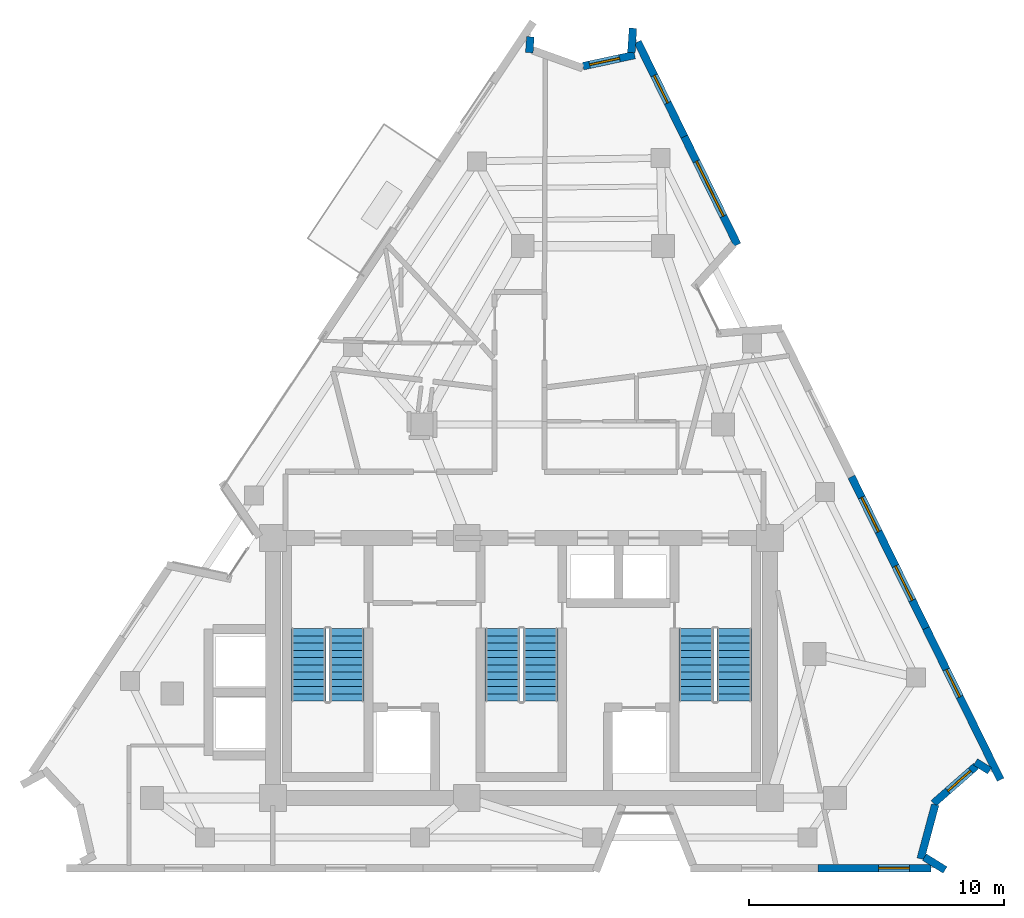
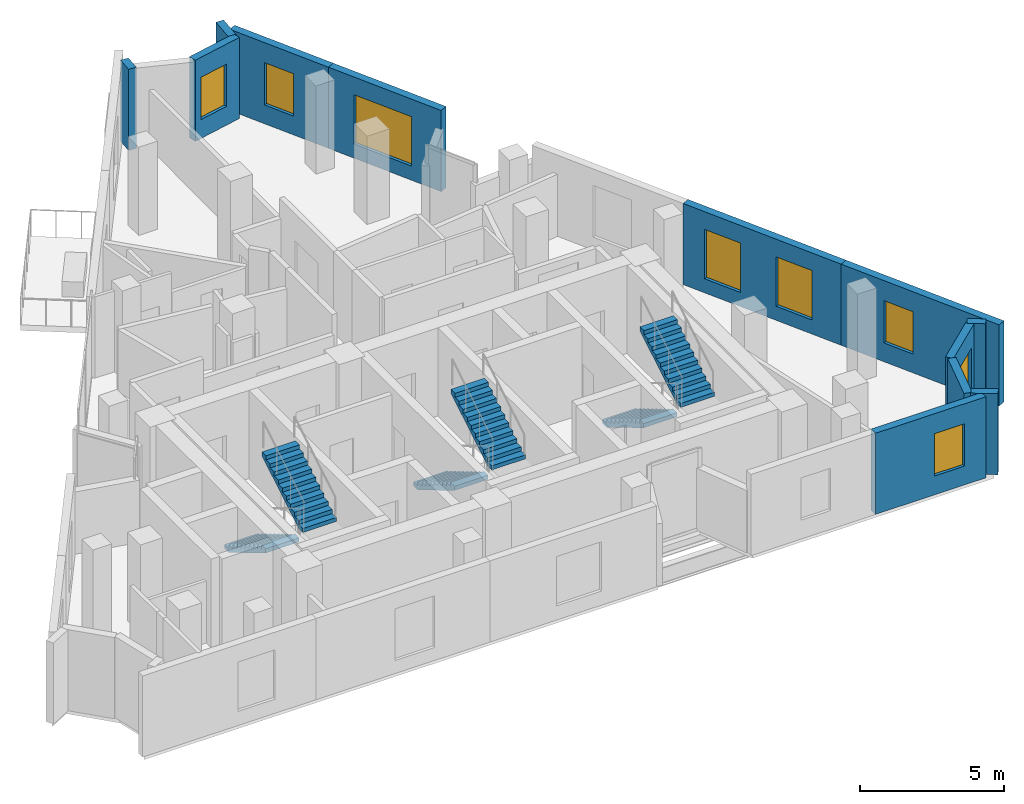
# One storey, part 7 of 8: 12 walls, 8 windows, 6 stair flights, 8 openings, 3 elements without a shape of their own.
"""IFC4 building model written with IfcOpenShell, lengths in metres."""

from ifc_helpers import new_model, si_unit, direction, frame, frame_2d, origin, place, context, subcontext, project, spatial, polyline, rectangle, outline, extrude, material, layer, layer_set, type_object, element, fill, aggregate, save


model = new_model("IFC4")

# Units and contexts
model_context = context("Model", 3, precision=1e-05, world=origin(), true_north=direction((0.0, 1.0)))
body_context = subcontext(model_context, "Body", "Model", "MODEL_VIEW")
ifc_project = project(units=[si_unit("LENGTHUNIT", "METRE"), si_unit("AREAUNIT", "SQUARE_METRE"), si_unit("VOLUMEUNIT", "CUBIC_METRE"), si_unit("PLANEANGLEUNIT", "RADIAN"), si_unit("MASSUNIT", "GRAM", prefix="KILO")], contexts=[model_context])

# Site, building, storey
site_placement = place(None, origin())
site = spatial("IfcSite", under=ifc_project, at=site_placement, CompositionType="ELEMENT")
building_placement = place(site_placement, origin())
building = spatial("IfcBuilding", under=site, at=building_placement, Name="Almagre Mirador Tower", CompositionType="ELEMENT")
storey_placement = place(building_placement, frame((0.0, 0.0, 285.75)))
storey = spatial("IfcBuildingStorey", under=building, at=storey_placement, Name="L74", CompositionType="ELEMENT", Elevation=285.75)

# Wall
ifc_material_1 = material(Name="Precast concrete C50/60", Category="concrete")
ifc_layer = layer(ifc_material_1, 0.300048828125)
ifc_layer_set = layer_set([ifc_layer], Name="Precast concrete C50/60")
wall_type = type_object("IfcWallType", Name="WAL-EXT-300", PredefinedType="SOLIDWALL", material=ifc_layer_set)
wall_1_placement = place(storey_placement, frame((37.648681640625, 34.4140625, 0.0), z_axis=(0.0, 0.0, 1.0), x_axis=(-0.065222861299, -0.99787072227, 0.0)))
element("IfcWall", 1, at=wall_1_placement, inside=storey, type_object=wall_type, Name="L74 expressed almagre precast frame wall 05", PredefinedType="SOLIDWALL", context=body_context, shape_type="SweptSolid", body=[
    extrude(rectangle(XDim=0.625, YDim=0.300048828125, at=frame_2d((0.3125, 0.0))), origin(), (0.0, 0.0, 1.0), 3.449951171875),
])

# Wall, opening, window
wall_2_placement = place(storey_placement, frame((39.714599609375, 33.261474609375, 0.0), z_axis=(0.0, 0.0, 1.0), x_axis=(0.977601927603, 0.210462517201, 0.0)))
wall_2 = element("IfcWall", 2, at=wall_2_placement, inside=storey, type_object=wall_type, Name="L74 expressed almagre precast frame wall 07", PredefinedType="SOLIDWALL", context=body_context, shape_type="SweptSolid", body=[
    extrude(rectangle(XDim=2.07177734375, YDim=0.300048828125, at=frame_2d((1.035888671875, 0.0))), origin(), (0.0, 0.0, 1.0), 3.449951171875),
])
opening_1_placement = place(wall_2_placement, frame((0.264892578125, 0.0, 0.800048828125)))
opening_1 = element("IfcOpeningElement", 3, at=opening_1_placement, cuts=wall_2, Name="Opening WN-04", PredefinedType="OPENING", context=body_context, shape_type="SweptSolid", body=[
    extrude(rectangle(XDim=1.199951171875, YDim=1.800048828125, at=frame_2d((0.60009765625, 0.89990234375))), frame((0.0, 0.159902, 0.0), z_axis=(0.0, -1.0, 0.0), x_axis=(1.0, 0.0, 0.0)), (0.0, 0.0, 1.0), 0.320049),
])
ifc_material_2 = material(Name="Dark solar-control laminated hurricane glass", Category="glass")
window_type_1 = type_object("IfcWindowType", Name="WIN-1200X1800", PartitioningType="SINGLE_PANEL", PredefinedType="WINDOW", material=ifc_material_2)
window_1_placement = place(opening_1_placement, origin())
window_1 = element("IfcWindow", 4, at=window_1_placement, inside=storey, type_object=window_type_1, Name="L74 recessed hurricane window L74-RST-J", OverallHeight=1.800048828125, OverallWidth=1.199951171875, PartitioningType="SINGLE_PANEL", PredefinedType="WINDOW", context=body_context, shape_type="SweptSolid", body=[
    extrude(rectangle(XDim=1.199951171875, YDim=1.800048828125, at=frame_2d((0.60009765625, 0.89990234375))), frame((0.0, 0.030029296875, 0.0), z_axis=(0.0, -1.0, 0.0), x_axis=(1.0, 0.0, 0.0)), (0.0, 0.0, 1.0), 0.06005859375),
])
fill(opening_1, window_1)

# Wall
wall_3_placement = place(storey_placement, frame((41.611083984375, 33.792724609375, 0.0), z_axis=(0.0, 0.0, 1.0), x_axis=(0.065860770899, 0.997828822422, 0.0)))
element("IfcWall", 5, at=wall_3_placement, inside=storey, type_object=wall_type, Name="L74 expressed almagre precast frame wall 08", PredefinedType="SOLIDWALL", context=body_context, shape_type="SweptSolid", body=[
    extrude(rectangle(XDim=0.960205078125, YDim=0.300048828125, at=frame_2d((0.47998046875, 0.0))), origin(), (0.0, 0.0, 1.0), 3.449951171875),
])

# Wall, opening, window
wall_4_placement = place(storey_placement, frame((41.861328125, 34.211669921875, 0.0), z_axis=(0.0, 0.0, 1.0), x_axis=(0.441237156628, -0.897390534612, 0.0)))
wall_4 = element("IfcWall", 6, at=wall_4_placement, inside=storey, type_object=wall_type, Name="L74 expressed almagre precast frame wall 09", PredefinedType="SOLIDWALL", context=body_context, shape_type="SweptSolid", body=[
    extrude(rectangle(XDim=4.140869140625, YDim=0.300048828125, at=frame_2d((2.0703125, 0.0))), origin(), (0.0, 0.0, 1.0), 3.449951171875),
])
opening_2_placement = place(wall_4_placement, frame((1.465087890625, 0.0, 0.800048828125)))
opening_2 = element("IfcOpeningElement", 7, at=opening_2_placement, cuts=wall_4, Name="Opening WN-04", PredefinedType="OPENING", context=body_context, shape_type="SweptSolid", body=[
    extrude(rectangle(XDim=1.199951171875, YDim=1.800048828125, at=frame_2d((0.60009765625, 0.89990234375))), frame((0.0, 0.159902, 0.0), z_axis=(0.0, -1.0, 0.0), x_axis=(1.0, 0.0, 0.0)), (0.0, 0.0, 1.0), 0.320049),
])
window_2_placement = place(opening_2_placement, origin())
window_2 = element("IfcWindow", 8, at=window_2_placement, inside=storey, type_object=window_type_1, Name="L74 recessed hurricane window L74-RST-J", OverallHeight=1.800048828125, OverallWidth=1.199951171875, PartitioningType="SINGLE_PANEL", PredefinedType="WINDOW", context=body_context, shape_type="SweptSolid", body=[
    extrude(rectangle(XDim=1.199951171875, YDim=1.800048828125, at=frame_2d((0.60009765625, 0.89990234375))), frame((0.0, 0.030029296875, 0.0), z_axis=(0.0, -1.0, 0.0), x_axis=(1.0, 0.0, 0.0)), (0.0, 0.0, 1.0), 0.06005859375),
])
fill(opening_2, window_2)

wall_5_placement = place(storey_placement, frame((43.6884765625, 30.49560546875, 0.0), z_axis=(0.0, 0.0, 1.0), x_axis=(0.441211227399, -0.897403283266, 0.0)))
wall_5 = element("IfcWall", 9, at=wall_5_placement, inside=storey, type_object=wall_type, Name="L74 expressed almagre precast frame wall 10", PredefinedType="SOLIDWALL", context=body_context, shape_type="SweptSolid", body=[
    extrude(rectangle(XDim=4.72607421875, YDim=0.300048828125, at=frame_2d((2.363037109375, 0.0))), origin(), (0.0, 0.0, 1.0), 3.449951171875),
])
opening_3_placement = place(wall_5_placement, frame((1.074951171875, 0.0, 0.60009765625)))
opening_3 = element("IfcOpeningElement", 10, at=opening_3_placement, cuts=wall_5, Name="Opening WN-02", PredefinedType="OPENING", context=body_context, shape_type="SweptSolid", body=[
    extrude(rectangle(XDim=2.39990234375, YDim=2.10009765625, at=frame_2d((1.199951171875, 1.050048828125))), frame((0.0, 0.159902, 0.0), z_axis=(0.0, -1.0, 0.0), x_axis=(1.0, 0.0, 0.0)), (0.0, 0.0, 1.0), 0.320049),
])
ifc_material_3 = material(Name="Dark solar-control laminated hurricane glass", Category="glass")
window_type_2 = type_object("IfcWindowType", Name="WIN-2400X2100", PartitioningType="TRIPLE_PANEL_VERTICAL", PredefinedType="WINDOW", material=ifc_material_3)
window_3_placement = place(opening_3_placement, origin())
window_3 = element("IfcWindow", 11, at=window_3_placement, inside=storey, type_object=window_type_2, Name="L74 recessed hurricane window L74-RST-J", OverallHeight=2.10009765625, OverallWidth=2.39990234375, PartitioningType="SINGLE_PANEL", PredefinedType="WINDOW", context=body_context, shape_type="SweptSolid", body=[
    extrude(rectangle(XDim=2.39990234375, YDim=2.10009765625, at=frame_2d((1.199951171875, 1.050048828125))), frame((0.0, 0.030029296875, 0.0), z_axis=(0.0, -1.0, 0.0), x_axis=(1.0, 0.0, 0.0)), (0.0, 0.0, 1.0), 0.06005859375),
])
fill(opening_3, window_3)

# Wall, openings, windows
wall_6_placement = place(storey_placement, frame((50.25048828125, 17.151611328125, 0.0), z_axis=(0.0, 0.0, 1.0), x_axis=(0.441291922586, -0.897363604711, 0.0)))
wall_6 = element("IfcWall", 12, at=wall_6_placement, inside=storey, type_object=wall_type, Name="L74 expressed almagre precast frame wall 14", PredefinedType="SOLIDWALL", context=body_context, shape_type="SweptSolid", body=[
    extrude(rectangle(XDim=6.6240234375, YDim=0.300048828125, at=frame_2d((3.31201171875, 0.0))), origin(), (0.0, 0.0, 1.0), 3.449951171875),
])
opening_4_placement = place(wall_6_placement, frame((3.89990234375, 0.0, 0.60009765625)))
opening_4 = element("IfcOpeningElement", 13, at=opening_4_placement, cuts=wall_6, Name="Opening WN-03", PredefinedType="OPENING", context=body_context, shape_type="SweptSolid", body=[
    extrude(rectangle(XDim=1.5, YDim=2.10009765625, at=frame_2d((0.75, 1.050048828125))), frame((0.0, 0.159902, 0.0), z_axis=(0.0, -1.0, 0.0), x_axis=(1.0, 0.0, 0.0)), (0.0, 0.0, 1.0), 0.320049),
])
opening_5_placement = place(wall_6_placement, frame((0.89990234375, 0.0, 0.60009765625)))
opening_5 = element("IfcOpeningElement", 14, at=opening_5_placement, cuts=wall_6, Name="Opening WN-03", PredefinedType="OPENING", context=body_context, shape_type="SweptSolid", body=[
    extrude(rectangle(XDim=1.5, YDim=2.10009765625, at=frame_2d((0.75, 1.050048828125))), frame((0.0, 0.159902, 0.0), z_axis=(0.0, -1.0, 0.0), x_axis=(1.0, 0.0, 0.0)), (0.0, 0.0, 1.0), 0.320049),
])
ifc_material_4 = material(Name="Dark solar-control laminated hurricane glass", Category="glass")
window_type_3 = type_object("IfcWindowType", Name="WIN-1500X2100", PartitioningType="DOUBLE_PANEL_VERTICAL", PredefinedType="WINDOW", material=ifc_material_4)
window_4_placement = place(opening_4_placement, origin())
window_4 = element("IfcWindow", 15, at=window_4_placement, inside=storey, type_object=window_type_3, Name="L74 recessed hurricane window L74-UC-ST", OverallHeight=2.10009765625, OverallWidth=1.5, PartitioningType="SINGLE_PANEL", PredefinedType="WINDOW", context=body_context, shape_type="SweptSolid", body=[
    extrude(rectangle(XDim=1.5, YDim=2.10009765625, at=frame_2d((0.75, 1.050048828125))), frame((0.0, 0.030029296875, 0.0), z_axis=(0.0, -1.0, 0.0), x_axis=(1.0, 0.0, 0.0)), (0.0, 0.0, 1.0), 0.06005859375),
])
fill(opening_4, window_4)
window_5_placement = place(opening_5_placement, origin())
window_5 = element("IfcWindow", 16, at=window_5_placement, inside=storey, type_object=window_type_3, Name="L74 recessed hurricane window L74-RST-E", OverallHeight=2.10009765625, OverallWidth=1.5, PartitioningType="SINGLE_PANEL", PredefinedType="WINDOW", context=body_context, shape_type="SweptSolid", body=[
    extrude(rectangle(XDim=1.5, YDim=2.10009765625, at=frame_2d((0.75, 1.050048828125))), frame((0.0, 0.030029296875, 0.0), z_axis=(0.0, -1.0, 0.0), x_axis=(1.0, 0.0, 0.0)), (0.0, 0.0, 1.0), 0.06005859375),
])
fill(opening_5, window_5)

# Wall, opening, window
wall_7_placement = place(storey_placement, frame((53.173583984375, 11.20751953125, 0.0), z_axis=(0.0, 0.0, 1.0), x_axis=(0.441291922586, -0.897363604711, 0.0)))
wall_7 = element("IfcWall", 17, at=wall_7_placement, inside=storey, type_object=wall_type, Name="L74 expressed almagre precast frame wall 15", PredefinedType="SOLIDWALL", context=body_context, shape_type="SweptSolid", body=[
    extrude(rectangle(XDim=6.6240234375, YDim=0.300048828125, at=frame_2d((3.31201171875, 0.0))), origin(), (0.0, 0.0, 1.0), 3.449951171875),
])
opening_6_placement = place(wall_7_placement, frame((1.800048828125, 0.0, 0.800048828125)))
opening_6 = element("IfcOpeningElement", 18, at=opening_6_placement, cuts=wall_7, Name="Opening WN-04", PredefinedType="OPENING", context=body_context, shape_type="SweptSolid", body=[
    extrude(rectangle(XDim=1.199951171875, YDim=1.800048828125, at=frame_2d((0.60009765625, 0.89990234375))), frame((0.0, 0.159902, 0.0), z_axis=(0.0, -1.0, 0.0), x_axis=(1.0, 0.0, 0.0)), (0.0, 0.0, 1.0), 0.320049),
])
window_6_placement = place(opening_6_placement, origin())
window_6 = element("IfcWindow", 19, at=window_6_placement, inside=storey, type_object=window_type_1, Name="L74 recessed hurricane window L74-UC-ST", OverallHeight=1.800048828125, OverallWidth=1.199951171875, PartitioningType="SINGLE_PANEL", PredefinedType="WINDOW", context=body_context, shape_type="SweptSolid", body=[
    extrude(rectangle(XDim=1.199951171875, YDim=1.800048828125, at=frame_2d((0.60009765625, 0.89990234375))), frame((0.0, 0.030029296875, 0.0), z_axis=(0.0, -1.0, 0.0), x_axis=(1.0, 0.0, 0.0)), (0.0, 0.0, 1.0), 0.06005859375),
])
fill(opening_6, window_6)

# Wall
wall_8_placement = place(storey_placement, frame((55.666015625, 5.619140625, 0.0), z_axis=(0.0, 0.0, 1.0), x_axis=(-0.848588422638, 0.529053578539, 0.0)))
element("IfcWall", 20, at=wall_8_placement, inside=storey, type_object=wall_type, Name="L74 expressed almagre precast frame wall 16", PredefinedType="SOLIDWALL", context=body_context, shape_type="SweptSolid", body=[
    extrude(rectangle(XDim=0.650146484375, YDim=0.300048828125, at=frame_2d((0.3251953125, 0.0))), origin(), (0.0, 0.0, 1.0), 3.449951171875),
])

# Wall, opening, window
wall_9_placement = place(storey_placement, frame((55.13525390625, 5.80322265625, 0.0), z_axis=(0.0, 0.0, 1.0), x_axis=(-0.751744762281, -0.659454177622, 0.0)))
wall_9 = element("IfcWall", 21, at=wall_9_placement, inside=storey, type_object=wall_type, Name="L74 expressed almagre precast frame wall 17", PredefinedType="SOLIDWALL", context=body_context, shape_type="SweptSolid", body=[
    extrude(rectangle(XDim=2.219482421875, YDim=0.300048828125, at=frame_2d((1.10986328125, 0.0))), origin(), (0.0, 0.0, 1.0), 3.449951171875),
])
opening_7_placement = place(wall_9_placement, frame((0.280029296875, 0.0, 0.800048828125)))
opening_7 = element("IfcOpeningElement", 22, at=opening_7_placement, cuts=wall_9, Name="Opening WN-04", PredefinedType="OPENING", context=body_context, shape_type="SweptSolid", body=[
    extrude(rectangle(XDim=1.199951171875, YDim=1.800048828125, at=frame_2d((0.60009765625, 0.89990234375))), frame((0.0, 0.159902, 0.0), z_axis=(0.0, -1.0, 0.0), x_axis=(1.0, 0.0, 0.0)), (0.0, 0.0, 1.0), 0.320049),
])
window_7_placement = place(opening_7_placement, origin())
window_7 = element("IfcWindow", 23, at=window_7_placement, inside=storey, type_object=window_type_1, Name="L74 recessed hurricane window L74-UC-KT", OverallHeight=1.800048828125, OverallWidth=1.199951171875, PartitioningType="SINGLE_PANEL", PredefinedType="WINDOW", context=body_context, shape_type="SweptSolid", body=[
    extrude(rectangle(XDim=1.199951171875, YDim=1.800048828125, at=frame_2d((0.60009765625, 0.89990234375))), frame((0.0, 0.030029296875, 0.0), z_axis=(0.0, -1.0, 0.0), x_axis=(1.0, 0.0, 0.0)), (0.0, 0.0, 1.0), 0.06005859375),
])
fill(opening_7, window_7)

# Walls
wall_10_placement = place(storey_placement, frame((53.532958984375, 4.287109375, 0.0), z_axis=(0.0, 0.0, 1.0), x_axis=(-0.259818176463, -0.965657555855, 0.0)))
element("IfcWall", 24, at=wall_10_placement, inside=storey, type_object=wall_type, Name="L74 expressed almagre precast frame wall 18", PredefinedType="SOLIDWALL", context=body_context, shape_type="SweptSolid", body=[
    extrude(rectangle(XDim=2.19873046875, YDim=0.300048828125, at=frame_2d((1.099365234375, 0.0))), origin(), (0.0, 0.0, 1.0), 3.449951171875),
])
wall_11_placement = place(storey_placement, frame((53.1083984375, 2.23046875, 0.0), z_axis=(0.0, 0.0, 1.0), x_axis=(0.849031111495, -0.528342854322, 0.0)))
element("IfcWall", 25, at=wall_11_placement, inside=storey, type_object=wall_type, Name="L74 expressed almagre precast frame wall 19", PredefinedType="SOLIDWALL", context=body_context, shape_type="SweptSolid", body=[
    extrude(rectangle(XDim=0.95458984375, YDim=0.300048828125, at=frame_2d((0.477294921875, 0.0))), origin(), (0.0, 0.0, 1.0), 3.449951171875),
])

# Wall, opening, window
wall_12_placement = place(storey_placement, frame((53.375, 1.800048828125, 0.0), z_axis=(0.0, 0.0, 1.0), x_axis=(-1.0, 0.0, 0.0)))
wall_12 = element("IfcWall", 26, at=wall_12_placement, inside=storey, type_object=wall_type, Name="L74 expressed almagre precast frame wall 20", PredefinedType="SOLIDWALL", context=body_context, shape_type="SweptSolid", body=[
    extrude(rectangle(XDim=4.43896484375, YDim=0.300048828125, at=frame_2d((2.219482421875, 0.0))), origin(), (0.0, 0.0, 1.0), 3.449951171875),
])
opening_8_placement = place(wall_12_placement, frame((0.860107421875, 0.0, 0.800048828125)))
opening_8 = element("IfcOpeningElement", 27, at=opening_8_placement, cuts=wall_12, Name="Opening WN-04", PredefinedType="OPENING", context=body_context, shape_type="SweptSolid", body=[
    extrude(rectangle(XDim=1.199951171875, YDim=1.800048828125, at=frame_2d((0.60009765625, 0.89990234375))), frame((0.0, 0.159902, 0.0), z_axis=(0.0, -1.0, 0.0), x_axis=(1.0, 0.0, 0.0)), (0.0, 0.0, 1.0), 0.320049),
])
window_8_placement = place(opening_8_placement, origin())
window_8 = element("IfcWindow", 28, at=window_8_placement, inside=storey, type_object=window_type_1, Name="L74 recessed hurricane window L74-UC-BT", OverallHeight=1.800048828125, OverallWidth=1.199951171875, PartitioningType="SINGLE_PANEL", PredefinedType="WINDOW", context=body_context, shape_type="SweptSolid", body=[
    extrude(rectangle(XDim=1.199951171875, YDim=1.800048828125, at=frame_2d((0.60009765625, 0.89990234375))), frame((0.0, 0.030029296875, 0.0), z_axis=(0.0, -1.0, 0.0), x_axis=(1.0, 0.0, 0.0)), (0.0, 0.0, 1.0), 0.06005859375),
])
fill(opening_8, window_8)

# Stair, stair flights
ifc_material_5 = material(Name="Concrete C45/55", Category="concrete")
stair_type = type_object("IfcStairType", Name="STR-DL-3750", PredefinedType="HALF_TURN_STAIR", material=ifc_material_5)
stair_1_placement = place(storey_placement, origin())
stair_1 = element("IfcStair", 29, at=stair_1_placement, inside=storey, type_object=stair_type, Name="L74 Protected exit stair ST-1", PredefinedType="HALF_TURN_STAIR")
ifc_material_6 = material(Name="Concrete C45/55", Category="concrete")
stair_flight_type = type_object("IfcStairFlightType", Name="FLT-DL-3750", PredefinedType="STRAIGHT", material=ifc_material_6)
stair_flight_1_placement = place(storey_placement, frame((28.949951171875, 11.199951171875, 0.0), z_axis=(0.0, 0.0, 1.0), x_axis=(0.0, -1.0, 0.0)))
stair_flight_1 = element("IfcStairFlight", 30, at=stair_flight_1_placement, type_object=stair_flight_type, Name="ST-1 flight 1", NumberOfRisers=11, NumberOfTreads=10, PredefinedType="STRAIGHT", RiserHeight=0.170454545, TreadLength=0.285, context=body_context, shape_type="SweptSolid", body=[
    extrude(outline(polyline([(0.0, 0.0), (0.0, 0.17041015625), (0.284912109375, 0.17041015625), (0.284912109375, 0.3408203125), (0.570068359375, 0.3408203125), (0.570068359375, 0.511474609375), (0.85498046875, 0.511474609375), (0.85498046875, 0.681884765625), (1.139892578125, 0.681884765625), (1.139892578125, 0.852294921875), (1.425048828125, 0.852294921875), (1.425048828125, 1.022705078125), (1.7099609375, 1.022705078125), (1.7099609375, 1.193115234375), (1.9951171875, 1.193115234375), (1.9951171875, 1.363525390625), (2.280029296875, 1.363525390625), (2.280029296875, 1.5341796875), (2.56494140625, 1.5341796875), (2.56494140625, 1.70458984375), (2.85009765625, 1.70458984375), (2.85009765625, 1.875), (2.85009765625, 1.52978515625), (0.2919921875, 0.0), (0.0, 0.0)])), frame((0.0, 0.675048828125, 0.0), z_axis=(0.0, -1.0, 0.0), x_axis=(1.0, 0.0, 0.0)), (0.0, 0.0, 1.0), 1.35009765625),
])
stair_flight_2_placement = place(storey_placement, frame((30.449951171875, 8.35009765625, 1.875), z_axis=(0.0, 0.0, 1.0), x_axis=(0.0, 1.0, 0.0)))
stair_flight_2 = element("IfcStairFlight", 31, at=stair_flight_2_placement, type_object=stair_flight_type, Name="ST-1 flight 2", NumberOfRisers=11, NumberOfTreads=10, PredefinedType="STRAIGHT", RiserHeight=0.170454545, TreadLength=0.285, context=body_context, shape_type="SweptSolid", body=[
    extrude(outline(polyline([(0.0, 0.0), (0.0, 0.17041015625), (0.284912109375, 0.17041015625), (0.284912109375, 0.3408203125), (0.570068359375, 0.3408203125), (0.570068359375, 0.511474609375), (0.85498046875, 0.511474609375), (0.85498046875, 0.681884765625), (1.139892578125, 0.681884765625), (1.139892578125, 0.852294921875), (1.425048828125, 0.852294921875), (1.425048828125, 1.022705078125), (1.7099609375, 1.022705078125), (1.7099609375, 1.193115234375), (1.9951171875, 1.193115234375), (1.9951171875, 1.363525390625), (2.280029296875, 1.363525390625), (2.280029296875, 1.5341796875), (2.56494140625, 1.5341796875), (2.56494140625, 1.70458984375), (2.85009765625, 1.70458984375), (2.85009765625, 1.875), (2.85009765625, 1.52978515625), (0.2919921875, 0.0), (0.0, 0.0)])), frame((0.0, 0.675048828125, 0.0), z_axis=(0.0, -1.0, 0.0), x_axis=(1.0, 0.0, 0.0)), (0.0, 0.0, 1.0), 1.35009765625),
])
aggregate(stair_1, [stair_flight_1, stair_flight_2])

stair_2_placement = place(storey_placement, origin())
stair_2 = element("IfcStair", 32, at=stair_2_placement, inside=storey, type_object=stair_type, Name="L74 Protected exit stair ST-2", PredefinedType="HALF_TURN_STAIR")
stair_flight_3_placement = place(storey_placement, frame((36.550048828125, 11.199951171875, 0.0), z_axis=(0.0, 0.0, 1.0), x_axis=(0.0, -1.0, 0.0)))
stair_flight_3 = element("IfcStairFlight", 33, at=stair_flight_3_placement, type_object=stair_flight_type, Name="ST-2 flight 1", NumberOfRisers=11, NumberOfTreads=10, PredefinedType="STRAIGHT", RiserHeight=0.170454545, TreadLength=0.285, context=body_context, shape_type="SweptSolid", body=[
    extrude(outline(polyline([(0.0, 0.0), (0.0, 0.17041015625), (0.284912109375, 0.17041015625), (0.284912109375, 0.3408203125), (0.570068359375, 0.3408203125), (0.570068359375, 0.511474609375), (0.85498046875, 0.511474609375), (0.85498046875, 0.681884765625), (1.139892578125, 0.681884765625), (1.139892578125, 0.852294921875), (1.425048828125, 0.852294921875), (1.425048828125, 1.022705078125), (1.7099609375, 1.022705078125), (1.7099609375, 1.193115234375), (1.9951171875, 1.193115234375), (1.9951171875, 1.363525390625), (2.280029296875, 1.363525390625), (2.280029296875, 1.5341796875), (2.56494140625, 1.5341796875), (2.56494140625, 1.70458984375), (2.85009765625, 1.70458984375), (2.85009765625, 1.875), (2.85009765625, 1.52978515625), (0.2919921875, 0.0), (0.0, 0.0)])), frame((0.0, 0.675048828125, 0.0), z_axis=(0.0, -1.0, 0.0), x_axis=(1.0, 0.0, 0.0)), (0.0, 0.0, 1.0), 1.35009765625),
])
stair_flight_4_placement = place(storey_placement, frame((38.050048828125, 8.35009765625, 1.875), z_axis=(0.0, 0.0, 1.0), x_axis=(0.0, 1.0, 0.0)))
stair_flight_4 = element("IfcStairFlight", 34, at=stair_flight_4_placement, type_object=stair_flight_type, Name="ST-2 flight 2", NumberOfRisers=11, NumberOfTreads=10, PredefinedType="STRAIGHT", RiserHeight=0.170454545, TreadLength=0.285, context=body_context, shape_type="SweptSolid", body=[
    extrude(outline(polyline([(0.0, 0.0), (0.0, 0.17041015625), (0.284912109375, 0.17041015625), (0.284912109375, 0.3408203125), (0.570068359375, 0.3408203125), (0.570068359375, 0.511474609375), (0.85498046875, 0.511474609375), (0.85498046875, 0.681884765625), (1.139892578125, 0.681884765625), (1.139892578125, 0.852294921875), (1.425048828125, 0.852294921875), (1.425048828125, 1.022705078125), (1.7099609375, 1.022705078125), (1.7099609375, 1.193115234375), (1.9951171875, 1.193115234375), (1.9951171875, 1.363525390625), (2.280029296875, 1.363525390625), (2.280029296875, 1.5341796875), (2.56494140625, 1.5341796875), (2.56494140625, 1.70458984375), (2.85009765625, 1.70458984375), (2.85009765625, 1.875), (2.85009765625, 1.52978515625), (0.2919921875, 0.0), (0.0, 0.0)])), frame((0.0, 0.675048828125, 0.0), z_axis=(0.0, -1.0, 0.0), x_axis=(1.0, 0.0, 0.0)), (0.0, 0.0, 1.0), 1.35009765625),
])
aggregate(stair_2, [stair_flight_3, stair_flight_4])

stair_3_placement = place(storey_placement, origin())
stair_3 = element("IfcStair", 35, at=stair_3_placement, inside=storey, type_object=stair_type, Name="L74 Protected exit stair ST-3", PredefinedType="HALF_TURN_STAIR")
stair_flight_5_placement = place(storey_placement, frame((44.14990234375, 11.199951171875, 0.0), z_axis=(0.0, 0.0, 1.0), x_axis=(0.0, -1.0, 0.0)))
stair_flight_5 = element("IfcStairFlight", 36, at=stair_flight_5_placement, type_object=stair_flight_type, Name="ST-3 flight 1", NumberOfRisers=11, NumberOfTreads=10, PredefinedType="STRAIGHT", RiserHeight=0.170454545, TreadLength=0.285, context=body_context, shape_type="SweptSolid", body=[
    extrude(outline(polyline([(0.0, 0.0), (0.0, 0.17041015625), (0.284912109375, 0.17041015625), (0.284912109375, 0.3408203125), (0.570068359375, 0.3408203125), (0.570068359375, 0.511474609375), (0.85498046875, 0.511474609375), (0.85498046875, 0.681884765625), (1.139892578125, 0.681884765625), (1.139892578125, 0.852294921875), (1.425048828125, 0.852294921875), (1.425048828125, 1.022705078125), (1.7099609375, 1.022705078125), (1.7099609375, 1.193115234375), (1.9951171875, 1.193115234375), (1.9951171875, 1.363525390625), (2.280029296875, 1.363525390625), (2.280029296875, 1.5341796875), (2.56494140625, 1.5341796875), (2.56494140625, 1.70458984375), (2.85009765625, 1.70458984375), (2.85009765625, 1.875), (2.85009765625, 1.52978515625), (0.2919921875, 0.0), (0.0, 0.0)])), frame((0.0, 0.675048828125, 0.0), z_axis=(0.0, -1.0, 0.0), x_axis=(1.0, 0.0, 0.0)), (0.0, 0.0, 1.0), 1.35009765625),
])
stair_flight_6_placement = place(storey_placement, frame((45.64990234375, 8.35009765625, 1.875), z_axis=(0.0, 0.0, 1.0), x_axis=(0.0, 1.0, 0.0)))
stair_flight_6 = element("IfcStairFlight", 37, at=stair_flight_6_placement, type_object=stair_flight_type, Name="ST-3 flight 2", NumberOfRisers=11, NumberOfTreads=10, PredefinedType="STRAIGHT", RiserHeight=0.170454545, TreadLength=0.285, context=body_context, shape_type="SweptSolid", body=[
    extrude(outline(polyline([(0.0, 0.0), (0.0, 0.17041015625), (0.284912109375, 0.17041015625), (0.284912109375, 0.3408203125), (0.570068359375, 0.3408203125), (0.570068359375, 0.511474609375), (0.85498046875, 0.511474609375), (0.85498046875, 0.681884765625), (1.139892578125, 0.681884765625), (1.139892578125, 0.852294921875), (1.425048828125, 0.852294921875), (1.425048828125, 1.022705078125), (1.7099609375, 1.022705078125), (1.7099609375, 1.193115234375), (1.9951171875, 1.193115234375), (1.9951171875, 1.363525390625), (2.280029296875, 1.363525390625), (2.280029296875, 1.5341796875), (2.56494140625, 1.5341796875), (2.56494140625, 1.70458984375), (2.85009765625, 1.70458984375), (2.85009765625, 1.875), (2.85009765625, 1.52978515625), (0.2919921875, 0.0), (0.0, 0.0)])), frame((0.0, 0.675048828125, 0.0), z_axis=(0.0, -1.0, 0.0), x_axis=(1.0, 0.0, 0.0)), (0.0, 0.0, 1.0), 1.35009765625),
])
aggregate(stair_3, [stair_flight_5, stair_flight_6])

save(model, "model.ifc")
